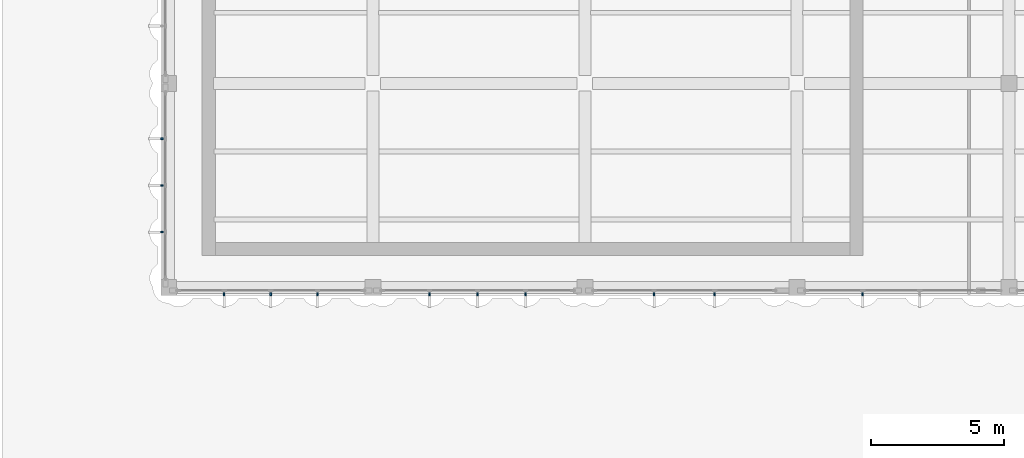
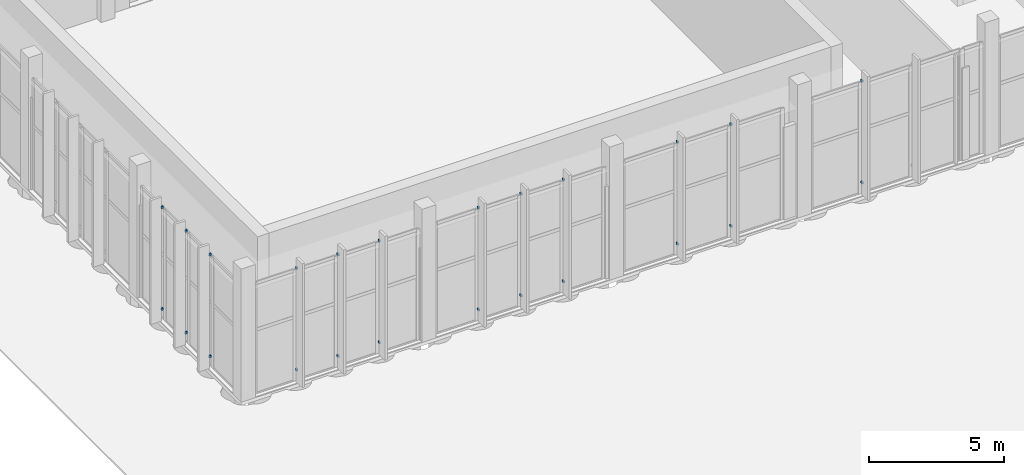
# One storey, part 109 of 155: 24 discrete accessories.
"""IFC4 building model written with IfcOpenShell, lengths in metres."""

import ifcopenshell
import ifcopenshell.guid

model = None  # the IFC model being written
_history = None  # IfcOwnerHistory: only IFC2X3 demands one
_inside = {}  # id of a spatial element -> (the spatial element, [elements in it])
_under = {}  # id of a project, library or spatial element -> (it, [spatial elements below it])
_declared = {}  # id of a project -> (the project, [libraries it declares])
_typed = {}  # id of a type object -> (the type object, [elements of that type])
_made_of = {}  # id of a material, layer set ... -> (it, [elements and type objects made of it])


def new_model(schema):
    """Start an empty IFC model of exactly this schema.

    Asked for "IFC4X3", IfcOpenShell would pick the latest addendum, in which some entities
    have other attributes; the version numbers below select the first issue.
    IFC2X3 requires an IfcOwnerHistory on every rooted entity: one is made here for all.
    """
    global model, _history
    if schema == "IFC4X3":
        model = ifcopenshell.file(schema_version=(4, 3, 0, 0))
    else:
        model = ifcopenshell.file(schema=schema)
    _inside.clear()
    _under.clear()
    _declared.clear()
    _typed.clear()
    _made_of.clear()
    _history = None
    if model.schema == "IFC2X3":
        org = make("IfcOrganization", Name="unknown")
        user = make(
            "IfcPersonAndOrganization",
            ThePerson=make("IfcPerson", FamilyName="unknown"),
            TheOrganization=org,
        )
        app = make(
            "IfcApplication",
            ApplicationDeveloper=org,
            Version="unknown",
            ApplicationFullName="unknown",
            ApplicationIdentifier="unknown",
        )
        _history = make(
            "IfcOwnerHistory",
            OwningUser=user,
            OwningApplication=app,
            ChangeAction="ADDED",
            CreationDate=0,
        )
    return model


def make(cls, **values):
    """One entity of the class cls with the attributes given. An attribute that is None is left unset."""
    return model.create_entity(
        cls, **{name: value for name, value in values.items() if value is not None}
    )


def rooted(cls, **values):
    """An entity with a GlobalId (a new one), such as an element, a storey or a relation."""
    return make(cls, GlobalId=ifcopenshell.guid.new(), OwnerHistory=_history, **values)


def si_unit(unit_type, name, prefix=None):
    """IfcSIUnit, for example si_unit("LENGTHUNIT", "METRE", prefix="MILLI")."""
    return make("IfcSIUnit", UnitType=unit_type, Prefix=prefix, Name=name)


def assignment(units):
    """IfcUnitAssignment: the units of a project."""
    return None if units is None else make("IfcUnitAssignment", Units=units)


def point(xyz):
    """IfcCartesianPoint."""
    return None if xyz is None else make("IfcCartesianPoint", Coordinates=xyz)


def direction(xyz):
    """IfcDirection."""
    return None if xyz is None else make("IfcDirection", DirectionRatios=xyz)


def frame(location, z_axis=None, x_axis=None):
    """IfcAxis2Placement3D, a coordinate frame: its origin and axes. An axis left out is left unset."""
    return make(
        "IfcAxis2Placement3D",
        Location=point(location),
        Axis=direction(z_axis),
        RefDirection=direction(x_axis),
    )


def frame_2d(location, x_axis=None):
    """IfcAxis2Placement2D, a coordinate frame in the plane: its origin and x axis."""
    return make(
        "IfcAxis2Placement2D", Location=point(location), RefDirection=direction(x_axis)
    )


def origin():
    """The frame at (0, 0, 0) with its axes left unset."""
    return frame((0.0, 0.0, 0.0))


def origin_2d():
    """The frame at (0, 0) in the plane with its x axis left unset."""
    return frame_2d((0.0, 0.0))


def place(relative_to, where):
    """IfcLocalPlacement: puts the frame where relative to a parent placement (None: the world)."""
    return make(
        "IfcLocalPlacement", PlacementRelTo=relative_to, RelativePlacement=where
    )


def context(
    kind, dimensions, precision=None, world=None, true_north=None, identifier=None
):
    """IfcGeometricRepresentationContext, for example the 3D "Model" context."""
    return make(
        "IfcGeometricRepresentationContext",
        ContextIdentifier=identifier,
        ContextType=kind,
        CoordinateSpaceDimension=dimensions,
        Precision=precision,
        WorldCoordinateSystem=world,
        TrueNorth=true_north,
    )


def subcontext(parent, identifier, kind, view, scale=None):
    """IfcGeometricRepresentationSubContext, for example "Body" below "Model"."""
    return make(
        "IfcGeometricRepresentationSubContext",
        ContextIdentifier=identifier,
        ContextType=kind,
        ParentContext=parent,
        TargetScale=scale,
        TargetView=view,
    )


def project(units=None, contexts=None):
    """IfcProject with its units and contexts."""
    return rooted(
        "IfcProject",
        Name="project",
        RepresentationContexts=contexts,
        UnitsInContext=assignment(units),
    )


def spatial(cls, under=None, at=None, **own):
    """A site, building, storey or space (cls), placed at a placement, below another one or the project."""
    s = rooted(cls, ObjectPlacement=at, **own)
    if under is not None:
        _under.setdefault(under.id(), (under, []))[1].append(s)
    return s


def profile(cls, at=None, kind="AREA", **sizes):
    """A parametric profile (cls). Its sizes go by their IFC names, for example OverallWidth=200.0."""
    return make(cls, ProfileType=kind, Position=at, **sizes)


def rectangle(**sizes):
    """IfcRectangleProfileDef."""
    return profile("IfcRectangleProfileDef", **sizes)


def extrude(swept, where, along, depth):
    """IfcExtrudedAreaSolid: the profile swept, set in the frame where, extruded along a direction by depth."""
    return make(
        "IfcExtrudedAreaSolid",
        SweptArea=swept,
        Position=where,
        ExtrudedDirection=direction(along),
        Depth=depth,
    )


def shape(context_of_items, identifier, shape_type, items):
    """IfcShapeRepresentation: the items that make up one representation, for example the "Body"."""
    return make(
        "IfcShapeRepresentation",
        ContextOfItems=context_of_items,
        RepresentationIdentifier=identifier,
        RepresentationType=shape_type,
        Items=items,
    )


def material(Name=None, Category=None):
    """IfcMaterial."""
    return make("IfcMaterial", Name=Name, Category=Category)


def made_of(thing, what):
    """Note that an element or type object is made of a material, layer set ...; save() writes the relation."""
    if what is not None:
        _made_of.setdefault(what.id(), (what, []))[1].append(thing)
    return thing


def type_object(cls, material=None, **own):
    """A type object (cls), such as IfcWallType, which elements share."""
    return made_of(rooted(cls, **own), material)


def element(
    cls,
    number,
    at=None,
    inside=None,
    cuts=None,
    type_object=None,
    material=None,
    context=None,
    identifier="Body",
    shape_type=None,
    held_by="IfcProductDefinitionShape",
    body=None,
    shapes=None,
    **own,
):
    """One element of the class cls, such as IfcWall. Its Tag is "e" and its number.

    at: its placement. inside: the storey or other place that contains it. cuts: it is an
    opening in that element (IfcRelVoidsElement). A single representation is given by context,
    identifier, shape_type and body (its items); several are given by shapes. held_by: the class
    of the entity that holds the representations. save() writes the other relations.
    """
    e = rooted(cls, Tag="e%d" % number, ObjectPlacement=at, **own)
    if body is not None:
        shapes = [shape(context, identifier, shape_type, body)]
    if shapes is not None:
        e.Representation = make(held_by, Representations=shapes)
    if inside is not None:
        _inside.setdefault(inside.id(), (inside, []))[1].append(e)
    if cuts is not None:
        rooted(
            "IfcRelVoidsElement", RelatingBuildingElement=cuts, RelatedOpeningElement=e
        )
    if type_object is not None:
        _typed.setdefault(type_object.id(), (type_object, []))[1].append(e)
    return made_of(e, material)


def aggregate(whole, parts):
    """IfcRelAggregates: a whole, such as a stair, and the parts it consists of."""
    return rooted("IfcRelAggregates", RelatingObject=whole, RelatedObjects=parts)


def save(model, path):
    """Write the relations noted so far, then the file.

    IfcRelAggregates (storeys below a building ...), IfcRelContainedInSpatialStructure (elements
    in a storey), IfcRelDefinesByType, IfcRelAssociatesMaterial and IfcRelDeclares: one each for
    every whole, place, type object, material and project.
    """
    for whole, parts in _under.values():
        aggregate(whole, parts)
    for where, things in _inside.values():
        rooted(
            "IfcRelContainedInSpatialStructure",
            RelatedElements=things,
            RelatingStructure=where,
        )
    for kind, things in _typed.values():
        rooted("IfcRelDefinesByType", RelatedObjects=things, RelatingType=kind)
    for what, things in _made_of.values():
        rooted("IfcRelAssociatesMaterial", RelatedObjects=things, RelatingMaterial=what)
    for by, libraries in _declared.values():
        rooted("IfcRelDeclares", RelatingContext=by, RelatedDefinitions=libraries)
    model.write(path)


model = new_model("IFC4")

# Units and contexts
model_context = context("Model", 3, precision=1e-05, world=origin(), true_north=direction((0.0, 1.0)))
body_context = subcontext(model_context, "Body", "Model", "MODEL_VIEW")
ifc_project = project(units=[si_unit("LENGTHUNIT", "METRE"), si_unit("AREAUNIT", "SQUARE_METRE"), si_unit("VOLUMEUNIT", "CUBIC_METRE"), si_unit("PLANEANGLEUNIT", "RADIAN"), si_unit("MASSUNIT", "GRAM", prefix="KILO")], contexts=[model_context])

# Site, building, storey
site_placement = place(None, origin())
site = spatial("IfcSite", under=ifc_project, at=site_placement, CompositionType="ELEMENT")
building_placement = place(site_placement, origin())
building = spatial("IfcBuilding", under=site, at=building_placement, Name="Lunette Opera House", CompositionType="ELEMENT")
storey_placement = place(building_placement, origin())
storey = spatial("IfcBuildingStorey", under=building, at=storey_placement, Name="L00", CompositionType="ELEMENT", Elevation=0.0)

# Discrete accessories
ifc_material = material(Name="Galvanised steel", Category="steel")
discrete_accessory_type = type_object("IfcDiscreteAccessoryType", Name="FIN BRACKET STEEL", PredefinedType="BRACKET", material=ifc_material)
for number, where, z_axis, x_axis, name in (
    (1, (8.0419921875, 69.909912109375, 0.56494140625), (0.0, 0.0, 1.0), (-1.0, 0.0, 0.0), "Fin bracket RW-X2006 1 1"),
    (2, (8.0419921875, 69.909912109375, 5.14990234375), (0.0, 0.0, 1.0), (-1.0, 0.0, 0.0), "Fin bracket RW-X2006 1 2"),
    (3, (8.0419921875, 68.14990234375, 0.56494140625), (0.0, 0.0, 1.0), (-1.0, 0.0, 0.0), "Fin bracket RW-X2006 2 1"),
    (4, (8.0419921875, 68.14990234375, 5.14990234375), (0.0, 0.0, 1.0), (-1.0, 0.0, 0.0), "Fin bracket RW-X2006 2 2"),
    (5, (8.0419921875, 66.389892578125, 0.56494140625), (0.0, 0.0, 1.0), (-1.0, 0.0, 0.0), "Fin bracket RW-X2006 3 1"),
    (6, (8.0419921875, 66.389892578125, 5.14990234375), (0.0, 0.0, 1.0), (-1.0, 0.0, 0.0), "Fin bracket RW-X2006 3 2"),
    (7, (10.389892578125, 64.04296875, 0.56494140625), (0.0, 0.0, 1.0), (0.0, -1.0, 0.0), "Fin bracket RW-X2007 1 1"),
    (8, (10.389892578125, 64.04296875, 5.14990234375), (0.0, 0.0, 1.0), (0.0, -1.0, 0.0), "Fin bracket RW-X2007 1 2"),
    (9, (12.14990234375, 64.04296875, 0.56494140625), (0.0, 0.0, 1.0), (0.0, -1.0, 0.0), "Fin bracket RW-X2007 2 1"),
    (10, (12.14990234375, 64.04296875, 5.14990234375), (0.0, 0.0, 1.0), (0.0, -1.0, 0.0), "Fin bracket RW-X2007 2 2"),
    (11, (13.909912109375, 64.04296875, 0.56494140625), (0.0, 0.0, 1.0), (0.0, -1.0, 0.0), "Fin bracket RW-X2007 3 1"),
    (12, (13.909912109375, 64.04296875, 5.14990234375), (0.0, 0.0, 1.0), (0.0, -1.0, 0.0), "Fin bracket RW-X2007 3 2"),
    (13, (18.14208984375, 64.04296875, 0.56494140625), (0.0, 0.0, 1.0), (0.0, -1.0, 0.0), "Fin bracket RW-X2008 1 1"),
    (14, (18.14208984375, 64.04296875, 5.14990234375), (0.0, 0.0, 1.0), (0.0, -1.0, 0.0), "Fin bracket RW-X2008 1 2"),
    (15, (19.952880859375, 64.04296875, 0.56494140625), (0.0, 0.0, 1.0), (0.0, -1.0, 0.0), "Fin bracket RW-X2008 2 1"),
    (16, (19.952880859375, 64.04296875, 5.14990234375), (0.0, 0.0, 1.0), (0.0, -1.0, 0.0), "Fin bracket RW-X2008 2 2"),
    (17, (21.764892578125, 64.04296875, 0.56494140625), (0.0, 0.0, 1.0), (0.0, -1.0, 0.0), "Fin bracket RW-X2008 3 1"),
    (18, (21.764892578125, 64.04296875, 5.14990234375), (0.0, 0.0, 1.0), (0.0, -1.0, 0.0), "Fin bracket RW-X2008 3 2"),
    (19, (26.614013671875, 64.04296875, 0.56494140625), (0.0, 0.0, 1.0), (0.0, -1.0, 0.0), "Fin bracket RW-X2009 1 1"),
    (20, (26.614013671875, 64.04296875, 5.14990234375), (0.0, 0.0, 1.0), (0.0, -1.0, 0.0), "Fin bracket RW-X2009 1 2"),
    (21, (28.89892578125, 64.04296875, 0.56494140625), (0.0, 0.0, 1.0), (0.0, -1.0, 0.0), "Fin bracket RW-X2009 2 1"),
    (22, (28.89892578125, 64.04296875, 5.14990234375), (0.0, 0.0, 1.0), (0.0, -1.0, 0.0), "Fin bracket RW-X2009 2 2"),
    (23, (34.48291015625, 64.04296875, 0.56494140625), (0.0, 0.0, 1.0), (0.0, -1.0, 0.0), "Fin bracket RW-X2010 1 1"),
    (24, (34.48291015625, 64.04296875, 5.14990234375), (0.0, 0.0, 1.0), (0.0, -1.0, 0.0), "Fin bracket RW-X2010 1 2"),
):
    element("IfcDiscreteAccessory", number, at=place(storey_placement, frame(where, z_axis=z_axis, x_axis=x_axis)), inside=storey, type_object=discrete_accessory_type, Name=name, PredefinedType="BRACKET", context=body_context, shape_type="SweptSolid", body=[
        extrude(rectangle(XDim=0.10009765625, YDim=0.06005859375, at=origin_2d()), origin(), (0.0, 0.0, 1.0), 0.10009765625),
    ])

save(model, "model.ifc")
